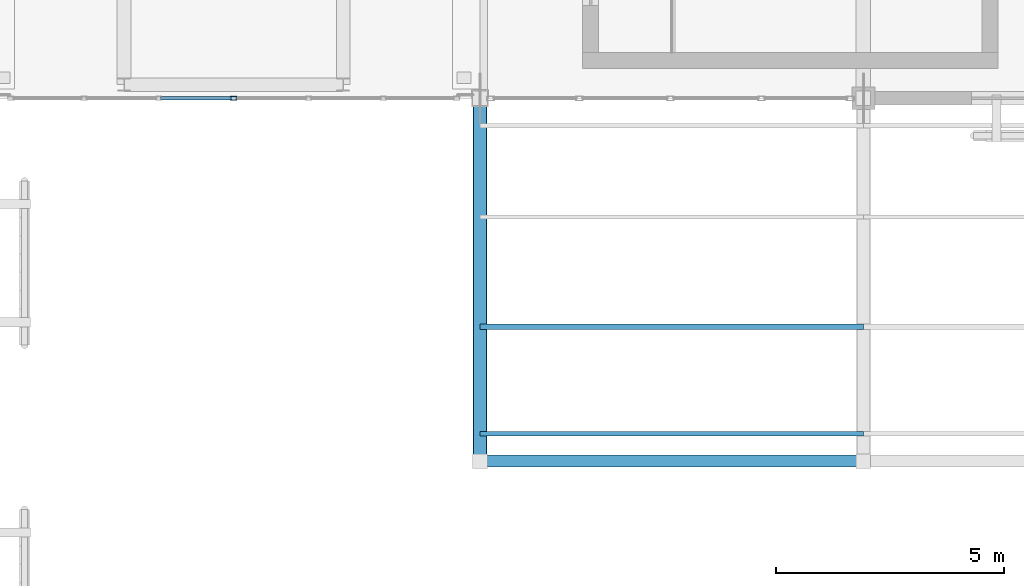
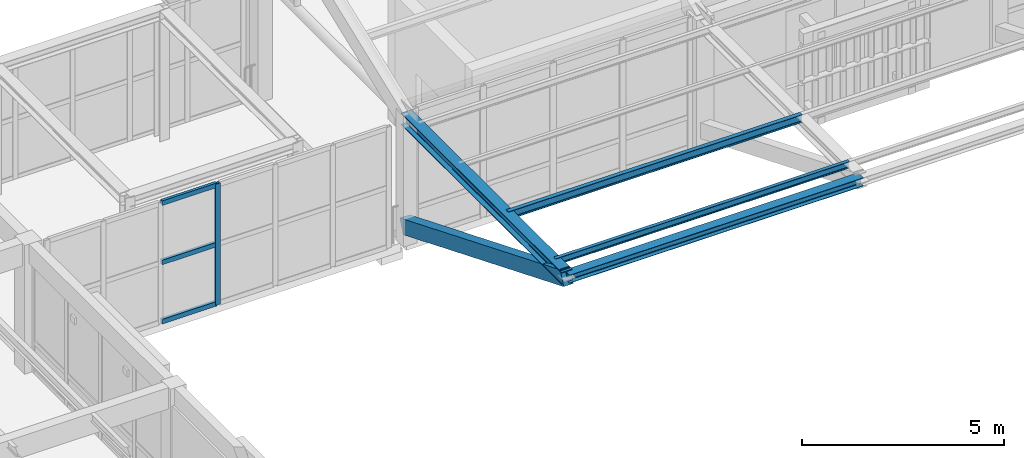
# One storey, part 60 of 217: 8 members, 1 beam, 1 element without a shape of its own.
"""IFC4 building model written with IfcOpenShell, lengths in metres."""

from ifc_helpers import new_model, si_unit, direction, frame, origin, origin_2d, place, context, subcontext, project, spatial, rectangle, hollow_rectangle, i_section, extrude, material, layer, layer_set, material_profile, profile_set, type_object, element, aggregate, save


model = new_model("IFC4")

# Units and contexts
model_context = context("Model", 3, precision=1e-05, world=origin(), true_north=direction((0.0, 1.0)))
body_context = subcontext(model_context, "Body", "Model", "MODEL_VIEW")
ifc_project = project(units=[si_unit("LENGTHUNIT", "METRE"), si_unit("AREAUNIT", "SQUARE_METRE"), si_unit("VOLUMEUNIT", "CUBIC_METRE"), si_unit("PLANEANGLEUNIT", "RADIAN"), si_unit("MASSUNIT", "GRAM", prefix="KILO")], contexts=[model_context])

# Site, building, storey
site_placement = place(None, origin())
site = spatial("IfcSite", under=ifc_project, at=site_placement, CompositionType="ELEMENT")
building_placement = place(site_placement, origin())
building = spatial("IfcBuilding", under=site, at=building_placement, Name="Mazaris Harbour Polytechnic", CompositionType="ELEMENT")
storey_placement = place(building_placement, frame((0.0, 0.0, 9.60009765625)))
storey = spatial("IfcBuildingStorey", under=building, at=storey_placement, Name="L02", CompositionType="ELEMENT", Elevation=9.60009765625)

# Curtain wall, members
ifc_material_1 = material(Name="Anodised Bronze Aluminium and Low-E Glass", Category="aluminium")
ifc_layer = layer(ifc_material_1, 0.139892578125, Name="Anodised Bronze Aluminium and Low-E Glass")
ifc_layer_set = layer_set([ifc_layer], Name="Anodised Bronze Aluminium and Low-E Glass")
curtain_wall_type = type_object("IfcCurtainWallType", Name="Seismic Link Bridge Glazing", PredefinedType="NOTDEFINED", material=ifc_layer_set)
curtain_wall_placement = place(storey_placement, origin())
curtain_wall = element("IfcCurtainWall", 1, at=curtain_wall_placement, inside=storey, type_object=curtain_wall_type, Name="PB-W2 L02 Bridge Glazing", PredefinedType="NOTDEFINED")
ifc_material_2 = material(Name="Anodised Bronze Steel S355", Category="steel")
ifc_material_profile_1 = material_profile(ifc_material_2, hollow_rectangle(XDim=0.080078125, YDim=0.139892578125, WallThickness=0.00634765625, at=origin_2d()), Name="RHS 80x140x6.3")
ifc_profile_set_1 = profile_set([ifc_material_profile_1], Name="Anodised Bronze Steel S355")
member_type_1 = type_object("IfcMemberType", Name="Curtain Mullion RHS80x140", PredefinedType="MULLION", material=ifc_profile_set_1)
member_1_placement = place(storey_placement, frame((48.60009765625, 75.60009765625, 0.0), z_axis=(0.0, 0.0, 1.0), x_axis=(0.0, 1.0, 0.0)))
member_1 = element("IfcMember", 2, at=member_1_placement, type_object=member_type_1, Name="CW-05 mullion 4", PredefinedType="MULLION", context=body_context, shape_type="SweptSolid", body=[
    extrude(hollow_rectangle(XDim=0.080078125, YDim=0.139892578125, WallThickness=0.00634765625, at=origin_2d()), origin(), (0.0, 0.0, 1.0), 3.659912109375),
])
ifc_material_3 = material(Name="Anodised Bronze Steel S355", Category="steel")
ifc_material_profile_2 = material_profile(ifc_material_3, hollow_rectangle(XDim=0.080078125, YDim=0.139892578125, WallThickness=0.00634765625, at=origin_2d()), Name="RHS 80x140x6.3")
ifc_profile_set_2 = profile_set([ifc_material_profile_2], Name="Anodised Bronze Steel S355")
member_type_2 = type_object("IfcMemberType", Name="Curtain Transom RHS80x140", PredefinedType="USERDEFINED", material=ifc_profile_set_2)
member_2_placement = place(storey_placement, frame((47.0, 75.60009765625, 0.039794921875), z_axis=(1.0, 0.0, 0.0), x_axis=(0.0, 1.0, 0.0)))
member_2 = element("IfcMember", 3, at=member_2_placement, type_object=member_type_2, Name="CW-05 transom 3.1", ObjectType="TRANSOM", PredefinedType="USERDEFINED", context=body_context, shape_type="SweptSolid", body=[
    extrude(hollow_rectangle(XDim=0.080078125, YDim=0.139892578125, WallThickness=0.00634765625, at=origin_2d()), origin(), (0.0, 0.0, 1.0), 1.56005859375),
])
member_3_placement = place(storey_placement, frame((47.0, 75.60009765625, 1.829833984375), z_axis=(1.0, 0.0, 0.0), x_axis=(0.0, 1.0, 0.0)))
member_3 = element("IfcMember", 4, at=member_3_placement, type_object=member_type_2, Name="CW-05 transom 3.2", ObjectType="TRANSOM", PredefinedType="USERDEFINED", context=body_context, shape_type="SweptSolid", body=[
    extrude(hollow_rectangle(XDim=0.080078125, YDim=0.139892578125, WallThickness=0.00634765625, at=origin_2d()), origin(), (0.0, 0.0, 1.0), 1.56005859375),
])
member_4_placement = place(storey_placement, frame((47.0, 75.60009765625, 3.619873046875), z_axis=(1.0, 0.0, 0.0), x_axis=(0.0, 1.0, 0.0)))
member_4 = element("IfcMember", 5, at=member_4_placement, type_object=member_type_2, Name="CW-05 transom 3.3", ObjectType="TRANSOM", PredefinedType="USERDEFINED", context=body_context, shape_type="SweptSolid", body=[
    extrude(hollow_rectangle(XDim=0.080078125, YDim=0.139892578125, WallThickness=0.00634765625, at=origin_2d()), origin(), (0.0, 0.0, 1.0), 1.56005859375),
])
aggregate(curtain_wall, [member_1, member_2, member_3, member_4])

# Member
ifc_material_4 = material(Name="Glulam GL32h", Category="wood")
ifc_material_profile_3 = material_profile(ifc_material_4, rectangle(XDim=0.280029296875, YDim=0.43994140625, at=origin_2d()), Name="RECT280x440")
ifc_profile_set_3 = profile_set([ifc_material_profile_3], Name="Glulam GL32h")
member_type_3 = type_object("IfcMemberType", Name="Glulam Raking Strut 280x440", PredefinedType="BRACE", material=ifc_profile_set_3)
member_5_placement = place(storey_placement, frame((54.0, 75.60009765625, 0.5), z_axis=(0.0, -0.925642918598, 0.378398186107), x_axis=(1.0, 0.0, 0.0)))
element("IfcMember", 6, at=member_5_placement, inside=storey, type_object=member_type_3, Name="Truss 1 South Eave Raking Strut", PredefinedType="BRACE", context=body_context, shape_type="SweptSolid", body=[
    extrude(rectangle(XDim=0.280029296875, YDim=0.43994140625, at=origin_2d()), origin(), (0.0, 0.0, 1.0), 8.5888671875),
])

# Beam
ifc_material_5 = material(Name="Steel S355", Category="steel")
ifc_material_profile_4 = material_profile(ifc_material_5, i_section(OverallWidth=0.260009765625, OverallDepth=0.25, WebThickness=0.007568359375, FlangeThickness=0.012451171875, FilletRadius=0.02392578125, at=origin_2d()), Name="HEA 260")
ifc_profile_set_4 = profile_set([ifc_material_profile_4], Name="Steel S355")
beam_type = type_object("IfcBeamType", Name="Steel Beam HEA260 Exterior", PredefinedType="SPANDREL", material=ifc_profile_set_4)
beam_placement = place(storey_placement, frame((54.0, 67.64990234375, 3.75), z_axis=(1.0, 0.0, 0.0), x_axis=(0.0, 1.0, 0.0)))
element("IfcBeam", 7, at=beam_placement, inside=storey, type_object=beam_type, Name="V1 Eave Fascia Beam 1", PredefinedType="SPANDREL", context=body_context, shape_type="SweptSolid", body=[
    extrude(i_section(OverallWidth=0.260009765625, OverallDepth=0.25, WebThickness=0.007568359375, FlangeThickness=0.012451171875, FilletRadius=0.02392578125, at=origin_2d()), origin(), (0.0, 0.0, 1.0), 8.39990234375),
])

# Members
ifc_material_6 = material(Name="Steel S355", Category="steel")
ifc_material_profile_5 = material_profile(ifc_material_6, i_section(OverallWidth=0.300048828125, OverallDepth=0.360107421875, WebThickness=0.012451171875, FlangeThickness=0.0224609375, FilletRadius=0.027099609375, at=origin_2d()), Name="HEB 360")
ifc_profile_set_5 = profile_set([ifc_material_profile_5], Name="Steel S355")
member_type_4 = type_object("IfcMemberType", Name="Steel Eave Cantilever HEB360", PredefinedType="CHORD", material=ifc_profile_set_5)
member_6_placement = place(storey_placement, frame((54.0, 75.60009765625, 3.75), z_axis=(0.0, -1.0, 0.0), x_axis=(1.0, 0.0, 0.0)))
element("IfcMember", 8, at=member_6_placement, inside=storey, type_object=member_type_4, Name="Truss 1 South Overhanging Eave Chord", PredefinedType="CHORD", context=body_context, shape_type="SweptSolid", body=[
    extrude(i_section(OverallWidth=0.300048828125, OverallDepth=0.360107421875, WebThickness=0.012451171875, FlangeThickness=0.0224609375, FilletRadius=0.027099609375, at=origin_2d()), origin(), (0.0, 0.0, 1.0), 7.9501953125),
])
ifc_material_7 = material(Name="Steel S355", Category="steel")
ifc_material_profile_6 = material_profile(ifc_material_7, i_section(OverallWidth=0.10009765625, OverallDepth=0.199951171875, WebThickness=0.005615234375, FlangeThickness=0.008544921875, FilletRadius=0.011962890625, at=origin_2d()), Name="IPE 200")
ifc_profile_set_6 = profile_set([ifc_material_profile_6], Name="Steel S355")
member_type_5 = type_object("IfcMemberType", Name="Steel Purlin IPE200 Exterior", PredefinedType="PURLIN", material=ifc_profile_set_6)
member_7_placement = place(storey_placement, frame((54.0, 68.25, 3.85498046875), z_axis=(1.0, 0.0, 0.0), x_axis=(0.0, 1.0, 0.0)))
element("IfcMember", 9, at=member_7_placement, inside=storey, type_object=member_type_5, Name="V1 Roof Purlin S-1", PredefinedType="PURLIN", context=body_context, shape_type="SweptSolid", body=[
    extrude(i_section(OverallWidth=0.10009765625, OverallDepth=0.199951171875, WebThickness=0.005615234375, FlangeThickness=0.008544921875, FilletRadius=0.011962890625, at=origin_2d()), origin(), (0.0, 0.0, 1.0), 8.39990234375),
])
ifc_material_8 = material(Name="Steel S355", Category="steel")
ifc_material_profile_7 = material_profile(ifc_material_8, i_section(OverallWidth=0.1201171875, OverallDepth=0.239990234375, WebThickness=0.006103515625, FlangeThickness=0.009765625, FilletRadius=0.014892578125, at=origin_2d()), Name="IPE 240")
ifc_profile_set_7 = profile_set([ifc_material_profile_7], Name="Steel S355")
member_type_6 = type_object("IfcMemberType", Name="Steel Purlin IPE240 Exterior", PredefinedType="PURLIN", material=ifc_profile_set_7)
member_8_placement = place(storey_placement, frame((54.0, 70.60009765625, 3.8349609375), z_axis=(1.0, 0.0, 0.0), x_axis=(0.0, 1.0, 0.0)))
element("IfcMember", 10, at=member_8_placement, inside=storey, type_object=member_type_6, Name="V1 Roof Purlin S-2", PredefinedType="PURLIN", context=body_context, shape_type="SweptSolid", body=[
    extrude(i_section(OverallWidth=0.1201171875, OverallDepth=0.239990234375, WebThickness=0.006103515625, FlangeThickness=0.009765625, FilletRadius=0.014892578125, at=origin_2d()), origin(), (0.0, 0.0, 1.0), 8.39990234375),
])

save(model, "model.ifc")
